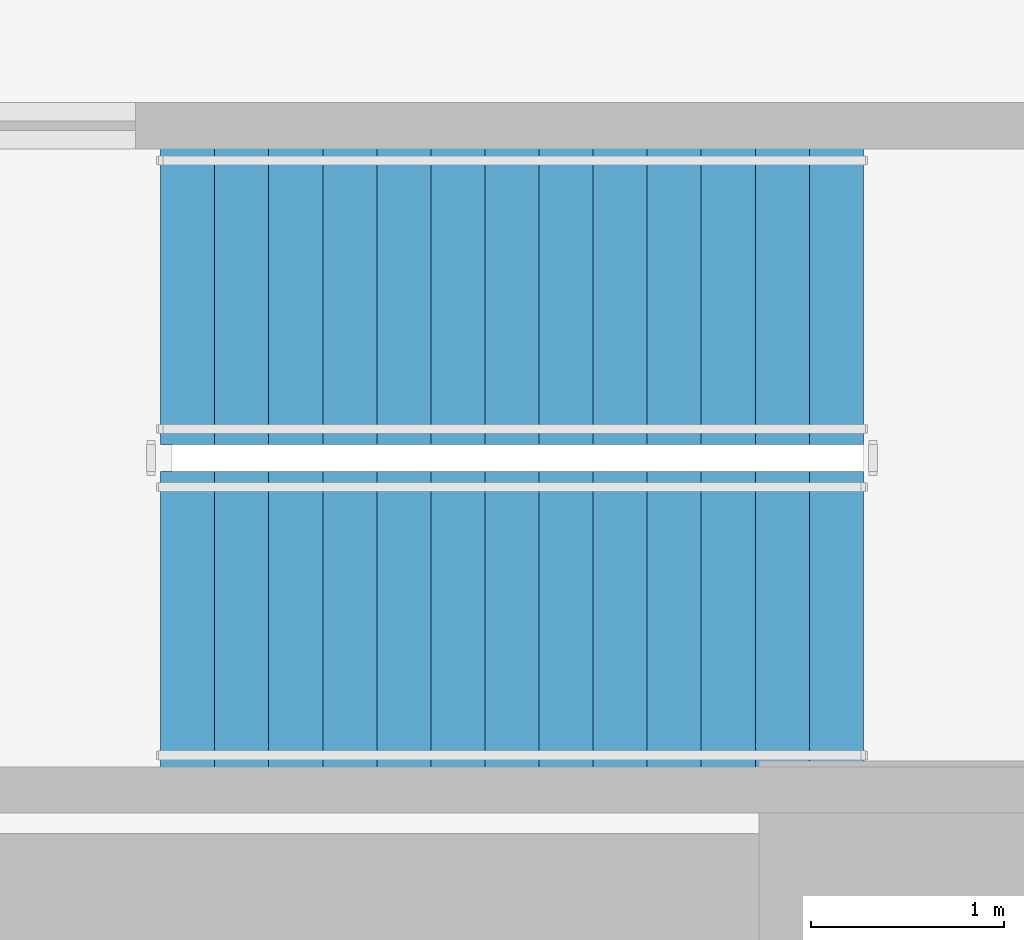
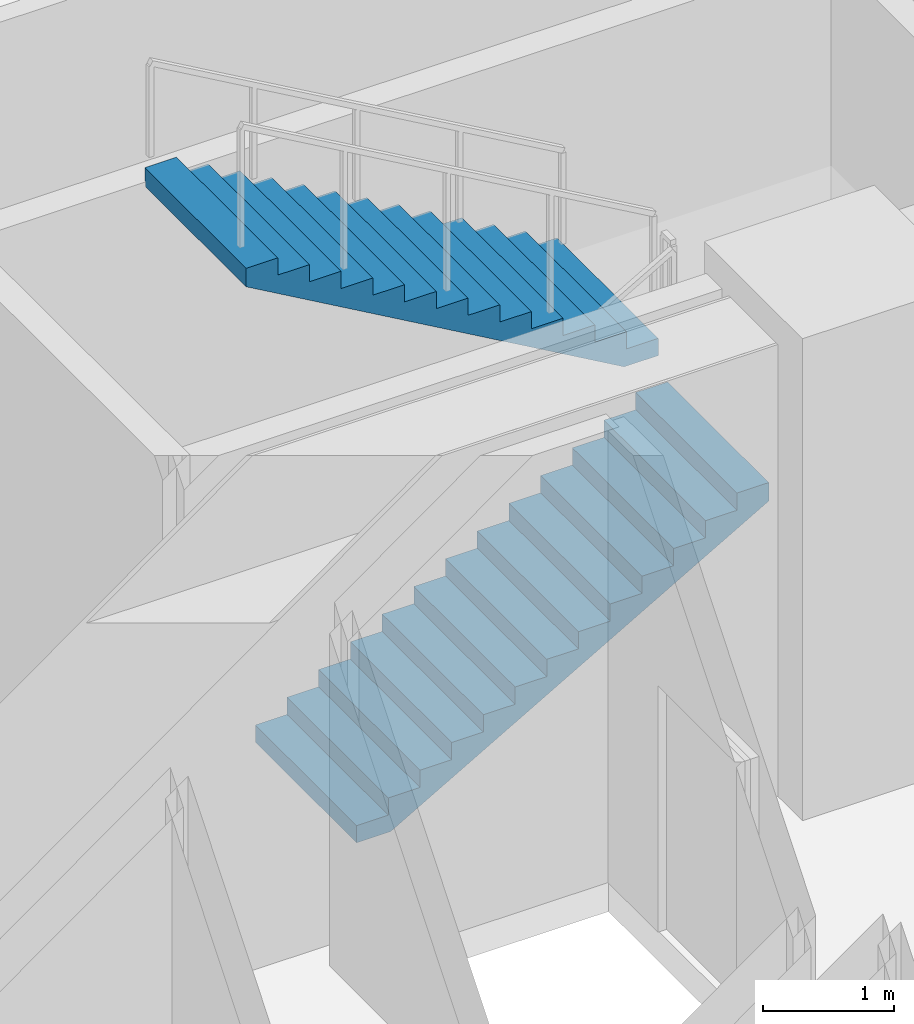
# One storey, part 19 of 27: 2 stair flights, 1 element without a shape of its own.
"""IFC4 building model written with IfcOpenShell, lengths in metres."""

from ifc_helpers import new_model, si_unit, direction, frame, origin, place, context, subcontext, project, spatial, polyline, outline, extrude, material, type_object, element, aggregate, save


model = new_model("IFC4")

# Units and contexts
model_context = context("Model", 3, precision=1e-05, world=origin(), true_north=direction((0.0, 1.0)))
body_context = subcontext(model_context, "Body", "Model", "MODEL_VIEW")
ifc_project = project(units=[si_unit("LENGTHUNIT", "METRE"), si_unit("AREAUNIT", "SQUARE_METRE"), si_unit("VOLUMEUNIT", "CUBIC_METRE"), si_unit("PLANEANGLEUNIT", "RADIAN"), si_unit("MASSUNIT", "GRAM", prefix="KILO")], contexts=[model_context])

# Site, building, storey
site_placement = place(None, origin())
site = spatial("IfcSite", under=ifc_project, at=site_placement, CompositionType="ELEMENT")
building_placement = place(site_placement, origin())
building = spatial("IfcBuilding", under=site, at=building_placement, Name="Liaohun Quay Tower", CompositionType="ELEMENT")
storey_placement = place(building_placement, frame((0.0, 0.0, 185.25)))
storey = spatial("IfcBuildingStorey", under=building, at=storey_placement, Name="L48", CompositionType="ELEMENT", Elevation=185.25)

# Stair, stair flights
ifc_material = material(Name="Concrete C45", Category="concrete")
stair_type = type_object("IfcStairType", Name="STR-CORE-TALL", PredefinedType="HALF_TURN_STAIR", material=ifc_material)
stair_placement = place(storey_placement, origin())
stair = element("IfcStair", 1, at=stair_placement, inside=storey, type_object=stair_type, Name="L48 Smokeproof Core Exit Stair ST-3", PredefinedType="HALF_TURN_STAIR")
stair_flight_type = type_object("IfcStairFlightType", Name="FLT-CORE-155", PredefinedType="STRAIGHT", material=ifc_material)
stair_flight_1_placement = place(storey_placement, frame((56.14990234375, 62.97509765625, 0.0), z_axis=(0.0, 0.0, 1.0), x_axis=(1.0, 0.0, 0.0)))
stair_flight_1 = element("IfcStairFlight", 2, at=stair_flight_1_placement, type_object=stair_flight_type, Name="ST-3 flight 1", NumberOfRisers=14, NumberOfTreads=13, PredefinedType="STRAIGHT", RiserHeight=0.160714286, TreadLength=0.28, context=body_context, shape_type="SweptSolid", body=[
    extrude(outline(polyline([(0.0, 0.0), (0.0, 0.16064453125), (0.280029296875, 0.16064453125), (0.280029296875, 0.321533203125), (0.56005859375, 0.321533203125), (0.56005859375, 0.482177734375), (0.840087890625, 0.482177734375), (0.840087890625, 0.642822265625), (1.1201171875, 0.642822265625), (1.1201171875, 0.803466796875), (1.39990234375, 0.803466796875), (1.39990234375, 0.96435546875), (1.679931640625, 0.96435546875), (1.679931640625, 1.125), (1.9599609375, 1.125), (1.9599609375, 1.28564453125), (2.239990234375, 1.28564453125), (2.239990234375, 1.446533203125), (2.52001953125, 1.446533203125), (2.52001953125, 1.607177734375), (2.800048828125, 1.607177734375), (2.800048828125, 1.767822265625), (3.080078125, 1.767822265625), (3.080078125, 1.928466796875), (3.360107421875, 1.928466796875), (3.360107421875, 2.08935546875), (3.639892578125, 2.08935546875), (3.639892578125, 2.25), (3.639892578125, 1.91650390625), (0.301025390625, 0.0), (0.0, 0.0)])), frame((0.0, 0.77490234375, 0.0), z_axis=(0.0, -1.0, 0.0), x_axis=(1.0, 0.0, 0.0)), (0.0, 0.0, 1.0), 1.550048828125),
])
stair_flight_2_placement = place(storey_placement, frame((59.7900390625, 64.6650390625, 2.25), z_axis=(0.0, 0.0, 1.0), x_axis=(-1.0, 0.0, 0.0)))
stair_flight_2 = element("IfcStairFlight", 3, at=stair_flight_2_placement, type_object=stair_flight_type, Name="ST-3 flight 2", NumberOfRisers=14, NumberOfTreads=13, PredefinedType="STRAIGHT", RiserHeight=0.160714286, TreadLength=0.28, context=body_context, shape_type="SweptSolid", body=[
    extrude(outline(polyline([(0.0, 0.0), (0.0, 0.16064453125), (0.280029296875, 0.16064453125), (0.280029296875, 0.321533203125), (0.56005859375, 0.321533203125), (0.56005859375, 0.482177734375), (0.840087890625, 0.482177734375), (0.840087890625, 0.642822265625), (1.1201171875, 0.642822265625), (1.1201171875, 0.803466796875), (1.39990234375, 0.803466796875), (1.39990234375, 0.96435546875), (1.679931640625, 0.96435546875), (1.679931640625, 1.125), (1.9599609375, 1.125), (1.9599609375, 1.28564453125), (2.239990234375, 1.28564453125), (2.239990234375, 1.446533203125), (2.52001953125, 1.446533203125), (2.52001953125, 1.607177734375), (2.800048828125, 1.607177734375), (2.800048828125, 1.767822265625), (3.080078125, 1.767822265625), (3.080078125, 1.928466796875), (3.360107421875, 1.928466796875), (3.360107421875, 2.08935546875), (3.639892578125, 2.08935546875), (3.639892578125, 2.25), (3.639892578125, 1.91650390625), (0.301025390625, 0.0), (0.0, 0.0)])), frame((0.0, 0.77490234375, 0.0), z_axis=(0.0, -1.0, 0.0), x_axis=(1.0, 0.0, 0.0)), (0.0, 0.0, 1.0), 1.550048828125),
])
aggregate(stair, [stair_flight_1, stair_flight_2])

save(model, "model.ifc")
